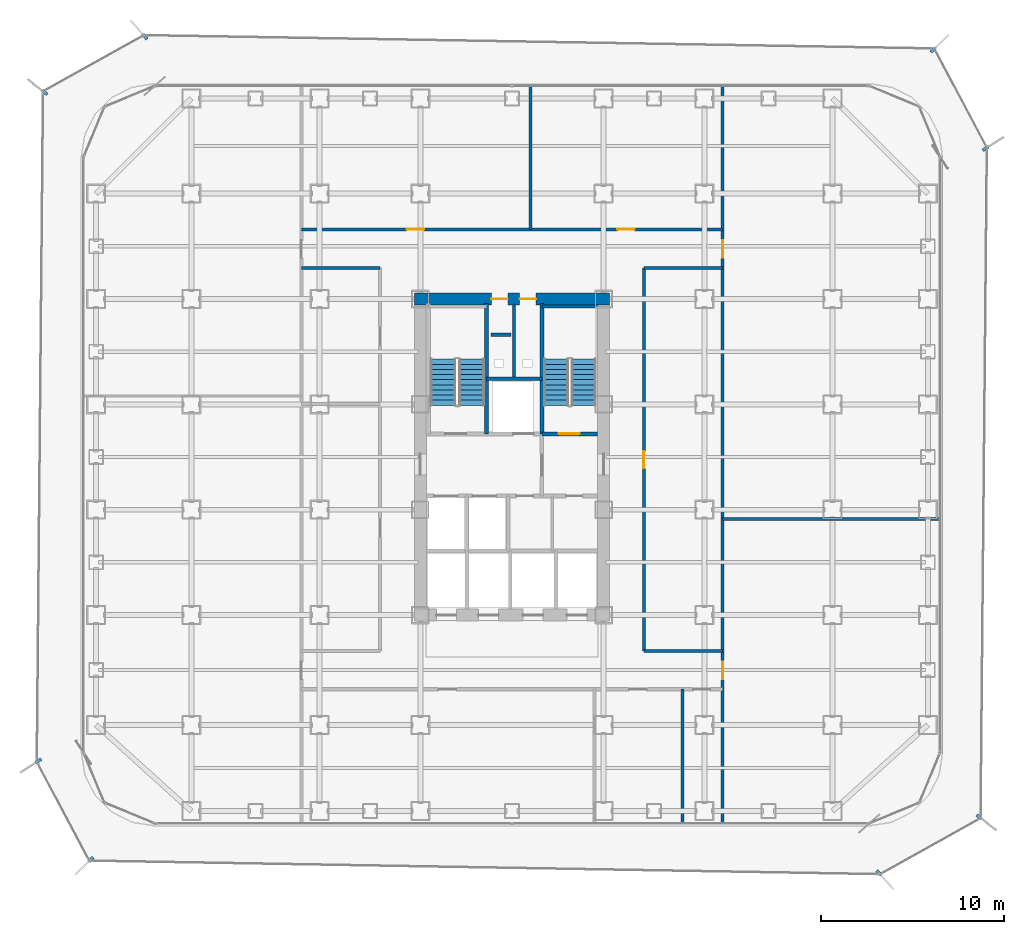
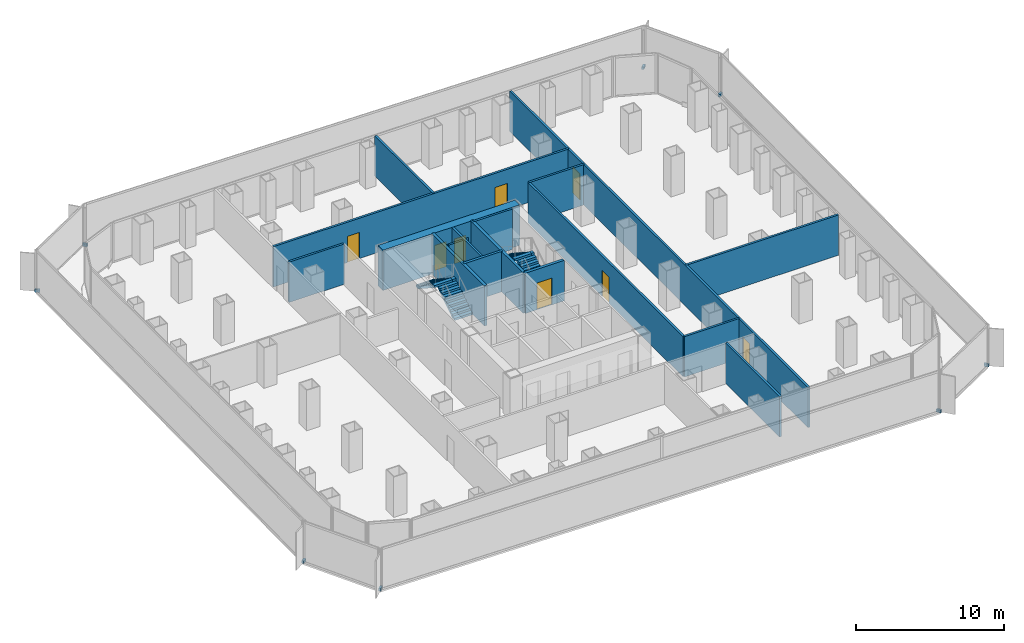
# One storey, part 18 of 21: 17 walls, 8 discrete accessories, 8 doors, 4 stair flights, 8 openings, 2 elements without a shape of their own.
"""IFC4 building model written with IfcOpenShell, lengths in metres."""

from ifc_helpers import new_model, si_unit, direction, frame, frame_2d, origin, origin_2d, place, context, subcontext, project, spatial, polyline, rectangle, outline, extrude, source, transform, mapped, material, layer, layer_set, type_object, element, fill, aggregate, save


model = new_model("IFC4")

# Units and contexts
model_context = context("Model", 3, precision=1e-05, world=origin(), true_north=direction((0.0, 1.0)))
body_context = subcontext(model_context, "Body", "Model", "MODEL_VIEW")
ifc_project = project(units=[si_unit("LENGTHUNIT", "METRE"), si_unit("AREAUNIT", "SQUARE_METRE"), si_unit("VOLUMEUNIT", "CUBIC_METRE"), si_unit("PLANEANGLEUNIT", "RADIAN"), si_unit("MASSUNIT", "GRAM", prefix="KILO")], contexts=[model_context])

# Site, building, storey
site_placement = place(None, origin())
site = spatial("IfcSite", under=ifc_project, at=site_placement, CompositionType="ELEMENT")
building_placement = place(site_placement, origin())
building = spatial("IfcBuilding", under=site, at=building_placement, Name="Kolveth Station Tower", CompositionType="ELEMENT")
storey_placement = place(building_placement, frame((0.0, 0.0, 58.5)))
storey = spatial("IfcBuildingStorey", under=building, at=storey_placement, Name="L15", CompositionType="ELEMENT", Elevation=58.5)

# Wall, openings, doors
ifc_material_1 = material(Name="Concrete C60/75", Category="concrete")
ifc_layer_1 = layer(ifc_material_1, 0.64990234375)
ifc_layer_set_1 = layer_set([ifc_layer_1], Name="Concrete C60/75")
wall_type_1 = type_object("IfcWallType", Name="Wall_CW-650", PredefinedType="SHEAR", material=ifc_layer_set_1)
wall_1_placement = place(storey_placement, frame((18.175048828125, 28.75, 0.0), z_axis=(0.0, 0.0, 1.0), x_axis=(1.0, 0.0, 0.0)))
wall_1 = element("IfcWall", 1, at=wall_1_placement, inside=storey, type_object=wall_type_1, Name="L15 Core RC Shear Wall N", PredefinedType="SHEAR", context=body_context, shape_type="SweptSolid", body=[
    extrude(rectangle(XDim=10.64990234375, YDim=0.64990234375, at=frame_2d((5.324951171875, 0.0))), origin(), (0.0, 0.0, 1.0), 3.320068359375),
])
opening_1_placement = place(wall_1_placement, frame((4.205078125, 0.0, 0.0)))
opening_1 = element("IfcOpeningElement", 2, at=opening_1_placement, cuts=wall_1, Name="Opening RD1", PredefinedType="OPENING", context=body_context, shape_type="SweptSolid", body=[
    extrude(rectangle(XDim=0.89990234375, YDim=2.050048828125, at=frame_2d((0.449951171875, 1.02490234375))), frame((0.0, 0.3349609375, 0.0), z_axis=(0.0, -1.0, 0.0), x_axis=(1.0, 0.0, 0.0)), (0.0, 0.0, 1.0), 0.669921875),
])
opening_2_placement = place(wall_1_placement, frame((5.7451171875, 0.0, 0.0)))
opening_2 = element("IfcOpeningElement", 3, at=opening_2_placement, cuts=wall_1, Name="Opening RD1", PredefinedType="OPENING", context=body_context, shape_type="SweptSolid", body=[
    extrude(rectangle(XDim=0.89990234375, YDim=2.050048828125, at=frame_2d((0.449951171875, 1.02490234375))), frame((0.0, 0.3349609375, 0.0), z_axis=(0.0, -1.0, 0.0), x_axis=(1.0, 0.0, 0.0)), (0.0, 0.0, 1.0), 0.669921875),
])
ifc_material_2 = material(Name="Fire-rated Steel S355 riser access leaf", Category="steel")
door_type_1 = type_object("IfcDoorType", Name="Door_RD1", OperationType="NOTDEFINED", PredefinedType="DOOR", material=ifc_material_2)
door_1_placement = place(opening_1_placement, origin())
door_1 = element("IfcDoor", 4, at=door_1_placement, inside=storey, type_object=door_type_1, Name="L15 Electrical Riser Access Door", OperationType="SINGLE_SWING_RIGHT", OverallHeight=2.050048828125, OverallWidth=0.89990234375, PredefinedType="DOOR", context=body_context, shape_type="SweptSolid", body=[
    extrude(rectangle(XDim=0.89990234375, YDim=2.050048828125, at=frame_2d((0.449951171875, 1.02490234375))), frame((0.0, 0.02490234375, 0.0), z_axis=(0.0, -1.0, 0.0), x_axis=(1.0, 0.0, 0.0)), (0.0, 0.0, 1.0), 0.050048828125),
])
fill(opening_1, door_1)
door_2_placement = place(opening_2_placement, origin())
door_2 = element("IfcDoor", 5, at=door_2_placement, inside=storey, type_object=door_type_1, Name="L15 Smoke Duct Access Door", OperationType="SINGLE_SWING_LEFT", OverallHeight=2.050048828125, OverallWidth=0.89990234375, PredefinedType="DOOR", context=body_context, shape_type="SweptSolid", body=[
    extrude(rectangle(XDim=0.89990234375, YDim=2.050048828125, at=frame_2d((0.449951171875, 1.02490234375))), frame((0.0, 0.02490234375, 0.0), z_axis=(0.0, -1.0, 0.0), x_axis=(1.0, 0.0, 0.0)), (0.0, 0.0, 1.0), 0.050048828125),
])
fill(opening_2, door_2)

# Walls
ifc_material_3 = material(Name="Acoustic double-stud gypsum partition")
ifc_layer_2 = layer(ifc_material_3, 0.1650390625)
ifc_layer_set_2 = layer_set([ifc_layer_2], Name="Acoustic double-stud gypsum partition")
wall_type_2 = type_object("IfcWallType", Name="Wall_IW-165", PredefinedType="PARTITIONING", material=ifc_layer_set_2)
wall_2_placement = place(storey_placement, frame((25.1298828125, 28.3349609375, 0.0), z_axis=(0.0, 0.0, 1.0), x_axis=(1.0, 0.0, 0.0)))
element("IfcWall", 6, at=wall_2_placement, inside=storey, type_object=wall_type_2, Name="L15 Stair Shaft Wall WL-L15-ST2-N", PredefinedType="PARTITIONING", context=body_context, shape_type="SweptSolid", body=[
    extrude(rectangle(XDim=3.03515625, YDim=0.1650390625, at=frame_2d((1.517578125, 0.0))), origin(), (0.0, 0.0, 1.0), 3.320068359375),
])
wall_3_placement = place(storey_placement, frame((23.6201171875, 24.39990234375, 0.0), z_axis=(0.0, 0.0, 1.0), x_axis=(0.0, 1.0, 0.0)))
element("IfcWall", 7, at=wall_3_placement, inside=storey, type_object=wall_type_2, Name="L15 Partition Wall WL-L15-RSR-M", PredefinedType="PARTITIONING", context=body_context, shape_type="SweptSolid", body=[
    extrude(rectangle(XDim=4.01513671875, YDim=0.1650390625, at=frame_2d((2.007568359375, 0.0))), origin(), (0.0, 0.0, 1.0), 3.320068359375),
])

# Wall, openings, doors
wall_4_placement = place(storey_placement, frame((12.0, 32.550048828125, 0.0), z_axis=(0.0, 0.0, 1.0), x_axis=(1.0, 0.0, 0.0)))
wall_4 = element("IfcWall", 8, at=wall_4_placement, inside=storey, type_object=wall_type_2, Name="L15 Partition Wall WL-L15-ON", PredefinedType="PARTITIONING", context=body_context, shape_type="SweptSolid", body=[
    extrude(rectangle(XDim=23.0, YDim=0.1650390625, at=frame_2d((11.5, 0.0))), origin(), (0.0, 0.0, 1.0), 3.320068359375),
])
opening_3_placement = place(wall_4_placement, frame((5.75, 0.0, 0.0)))
opening_3 = element("IfcOpeningElement", 9, at=opening_3_placement, cuts=wall_4, Name="Opening ID1", PredefinedType="OPENING", context=body_context, shape_type="SweptSolid", body=[
    extrude(rectangle(XDim=0.949951171875, YDim=2.14990234375, at=frame_2d((0.47509765625, 1.074951171875))), frame((0.0, 0.092529296875, 0.0), z_axis=(0.0, -1.0, 0.0), x_axis=(1.0, 0.0, 0.0)), (0.0, 0.0, 1.0), 0.18505859375),
])
opening_4_placement = place(wall_4_placement, frame((17.25, 0.0, 0.0)))
opening_4 = element("IfcOpeningElement", 10, at=opening_4_placement, cuts=wall_4, Name="Opening ID1", PredefinedType="OPENING", context=body_context, shape_type="SweptSolid", body=[
    extrude(rectangle(XDim=0.949951171875, YDim=2.14990234375, at=frame_2d((0.47509765625, 1.074951171875))), frame((0.0, 0.092529296875, 0.0), z_axis=(0.0, -1.0, 0.0), x_axis=(1.0, 0.0, 0.0)), (0.0, 0.0, 1.0), 0.18505859375),
])
ifc_material_4 = material(Name="Acoustic hardwood leaf and aluminium frame", Category="wood")
door_type_2 = type_object("IfcDoorType", Name="Door_ID1", OperationType="NOTDEFINED", PredefinedType="DOOR", material=ifc_material_4)
door_3_placement = place(opening_3_placement, origin())
door_3 = element("IfcDoor", 11, at=door_3_placement, inside=storey, type_object=door_type_2, Name="L15 Staff Lounge and Townhall Door", OperationType="SINGLE_SWING_LEFT", OverallHeight=2.14990234375, OverallWidth=0.949951171875, PredefinedType="DOOR", context=body_context, shape_type="SweptSolid", body=[
    extrude(rectangle(XDim=0.949951171875, YDim=2.14990234375, at=frame_2d((0.47509765625, 1.074951171875))), frame((0.0, 0.02490234375, 0.0), z_axis=(0.0, -1.0, 0.0), x_axis=(1.0, 0.0, 0.0)), (0.0, 0.0, 1.0), 0.050048828125),
])
fill(opening_3, door_3)
door_4_placement = place(opening_4_placement, origin())
door_4 = element("IfcDoor", 12, at=door_4_placement, inside=storey, type_object=door_type_2, Name="L15 Catering Pantry Door", OperationType="SINGLE_SWING_RIGHT", OverallHeight=2.14990234375, OverallWidth=0.949951171875, PredefinedType="DOOR", context=body_context, shape_type="SweptSolid", body=[
    extrude(rectangle(XDim=0.949951171875, YDim=2.14990234375, at=frame_2d((0.47509765625, 1.074951171875))), frame((0.0, 0.02490234375, 0.0), z_axis=(0.0, -1.0, 0.0), x_axis=(1.0, 0.0, 0.0)), (0.0, 0.0, 1.0), 0.050048828125),
])
fill(opening_4, door_4)

# Walls
for number, where, z_axis, x_axis, name in (
    (13, (30.699951171875, 9.550048828125, 0.0), (0.0, 0.0, 1.0), (1.0, 0.0, 0.0), "L15 Partition Wall WL-L15-OSET"),
    (14, (12.0, 30.449951171875, 0.0), (0.0, 0.0, 1.0), (1.0, 0.0, 0.0), "L15 Partition Wall WL-L15-ONWB"),
    (15, (30.699951171875, 30.449951171875, 0.0), (0.0, 0.0, 1.0), (1.0, 0.0, 0.0), "L15 Partition Wall WL-L15-ONEB"),
):
    element("IfcWall", number, at=place(storey_placement, frame(where, z_axis=z_axis, x_axis=x_axis)), inside=storey, type_object=wall_type_2, Name=name, PredefinedType="PARTITIONING", context=body_context, shape_type="SweptSolid", body=[
        extrude(rectangle(XDim=4.300048828125, YDim=0.1650390625, at=frame_2d((2.14990234375, 0.0))), origin(), (0.0, 0.0, 1.0), 3.320068359375),
    ])

# Wall, opening, door
wall_5_placement = place(storey_placement, frame((30.699951171875, 9.550048828125, 0.0), z_axis=(0.0, 0.0, 1.0), x_axis=(0.0, 1.0, 0.0)))
wall_5 = element("IfcWall", 16, at=wall_5_placement, inside=storey, type_object=wall_type_2, Name="L15 Partition Wall WL-L15-OCE", PredefinedType="PARTITIONING", context=body_context, shape_type="SweptSolid", body=[
    extrude(rectangle(XDim=20.89990234375, YDim=0.1650390625, at=frame_2d((10.449951171875, 0.0))), origin(), (0.0, 0.0, 1.0), 3.320068359375),
])
opening_5_placement = place(wall_5_placement, frame((9.949951171875, 0.0, 0.0)))
opening_5 = element("IfcOpeningElement", 17, at=opening_5_placement, cuts=wall_5, Name="Opening ID1", PredefinedType="OPENING", context=body_context, shape_type="SweptSolid", body=[
    extrude(rectangle(XDim=0.949951171875, YDim=2.14990234375, at=frame_2d((0.47509765625, 1.074951171875))), frame((0.0, 0.092529296875, 0.0), z_axis=(0.0, -1.0, 0.0), x_axis=(1.0, 0.0, 0.0)), (0.0, 0.0, 1.0), 0.18505859375),
])
door_5_placement = place(opening_5_placement, origin())
door_5 = element("IfcDoor", 18, at=door_5_placement, inside=storey, type_object=door_type_2, Name="L15 Internal Meeting Room E1 Door", OperationType="SINGLE_SWING_LEFT", OverallHeight=2.14990234375, OverallWidth=0.949951171875, PredefinedType="DOOR", context=body_context, shape_type="SweptSolid", body=[
    extrude(rectangle(XDim=0.949951171875, YDim=2.14990234375, at=frame_2d((0.47509765625, 1.074951171875))), frame((0.0, 0.02490234375, 0.0), z_axis=(0.0, -1.0, 0.0), x_axis=(1.0, 0.0, 0.0)), (0.0, 0.0, 1.0), 0.050048828125),
])
fill(opening_5, door_5)

# Wall, openings, doors
wall_6_placement = place(storey_placement, frame((35.0, 0.159912109375, 0.0), z_axis=(0.0, 0.0, 1.0), x_axis=(0.0, 1.0, 0.0)))
wall_6 = element("IfcWall", 19, at=wall_6_placement, inside=storey, type_object=wall_type_2, Name="L15 Partition Wall WL-L15-OEEND", PredefinedType="PARTITIONING", context=body_context, shape_type="SweptSolid", body=[
    extrude(rectangle(XDim=40.18017578125, YDim=0.1650390625, at=frame_2d((20.090087890625, 0.0))), origin(), (0.0, 0.0, 1.0), 3.320068359375),
])
opening_6_placement = place(wall_6_placement, frame((7.840087890625, 0.0, 0.0)))
opening_6 = element("IfcOpeningElement", 20, at=opening_6_placement, cuts=wall_6, Name="Opening ID1", PredefinedType="OPENING", context=body_context, shape_type="SweptSolid", body=[
    extrude(rectangle(XDim=0.949951171875, YDim=2.14990234375, at=frame_2d((0.47509765625, 1.074951171875))), frame((0.0, 0.092529296875, 0.0), z_axis=(0.0, -1.0, 0.0), x_axis=(1.0, 0.0, 0.0)), (0.0, 0.0, 1.0), 0.18505859375),
])
opening_7_placement = place(wall_6_placement, frame((30.840087890625, 0.0, 0.0)))
opening_7 = element("IfcOpeningElement", 21, at=opening_7_placement, cuts=wall_6, Name="Opening ID1", PredefinedType="OPENING", context=body_context, shape_type="SweptSolid", body=[
    extrude(rectangle(XDim=0.949951171875, YDim=2.14990234375, at=frame_2d((0.47509765625, 1.074951171875))), frame((0.0, 0.092529296875, 0.0), z_axis=(0.0, -1.0, 0.0), x_axis=(1.0, 0.0, 0.0)), (0.0, 0.0, 1.0), 0.18505859375),
])
door_6_placement = place(opening_6_placement, origin())
door_6 = element("IfcDoor", 22, at=door_6_placement, inside=storey, type_object=door_type_2, Name="L15 East-South Wing Door", OperationType="SINGLE_SWING_LEFT", OverallHeight=2.14990234375, OverallWidth=0.949951171875, PredefinedType="DOOR", context=body_context, shape_type="SweptSolid", body=[
    extrude(rectangle(XDim=0.949951171875, YDim=2.14990234375, at=frame_2d((0.47509765625, 1.074951171875))), frame((0.0, 0.02490234375, 0.0), z_axis=(0.0, -1.0, 0.0), x_axis=(1.0, 0.0, 0.0)), (0.0, 0.0, 1.0), 0.050048828125),
])
fill(opening_6, door_6)
door_7_placement = place(opening_7_placement, origin())
door_7 = element("IfcDoor", 23, at=door_7_placement, inside=storey, type_object=door_type_2, Name="L15 East-North Wing Door", OperationType="SINGLE_SWING_RIGHT", OverallHeight=2.14990234375, OverallWidth=0.949951171875, PredefinedType="DOOR", context=body_context, shape_type="SweptSolid", body=[
    extrude(rectangle(XDim=0.949951171875, YDim=2.14990234375, at=frame_2d((0.47509765625, 1.074951171875))), frame((0.0, 0.02490234375, 0.0), z_axis=(0.0, -1.0, 0.0), x_axis=(1.0, 0.0, 0.0)), (0.0, 0.0, 1.0), 0.050048828125),
])
fill(opening_7, door_7)

# Walls
wall_7_placement = place(storey_placement, frame((32.800048828125, 0.159912109375, 0.0), z_axis=(0.0, 0.0, 1.0), x_axis=(0.0, 1.0, 0.0)))
element("IfcWall", 24, at=wall_7_placement, inside=storey, type_object=wall_type_2, Name="L15 Partition Wall WL-L15-OS-P2", PredefinedType="PARTITIONING", context=body_context, shape_type="SweptSolid", body=[
    extrude(rectangle(XDim=7.2900390625, YDim=0.1650390625, at=frame_2d((3.64501953125, 0.0))), origin(), (0.0, 0.0, 1.0), 3.320068359375),
])
wall_8_placement = place(storey_placement, frame((24.5, 32.550048828125, 0.0), z_axis=(0.0, 0.0, 1.0), x_axis=(0.0, 1.0, 0.0)))
element("IfcWall", 25, at=wall_8_placement, inside=storey, type_object=wall_type_2, Name="L15 Partition Wall WL-L15-ON-P1", PredefinedType="PARTITIONING", context=body_context, shape_type="SweptSolid", body=[
    extrude(rectangle(XDim=7.7900390625, YDim=0.1650390625, at=frame_2d((3.89501953125, 0.0))), origin(), (0.0, 0.0, 1.0), 3.320068359375),
])
wall_9_placement = place(storey_placement, frame((35.0, 16.75, 0.0), z_axis=(0.0, 0.0, 1.0), x_axis=(1.0, 0.0, 0.0)))
element("IfcWall", 26, at=wall_9_placement, inside=storey, type_object=wall_type_2, Name="L15 Partition Wall WL-L15-OEM", PredefinedType="PARTITIONING", context=body_context, shape_type="SweptSolid", body=[
    extrude(rectangle(XDim=11.840087890625, YDim=0.1650390625, at=frame_2d((5.919921875, 0.0))), origin(), (0.0, 0.0, 1.0), 3.320068359375),
])
wall_10_placement = place(storey_placement, frame((22.35009765625, 26.800048828125, 0.0), z_axis=(0.0, 0.0, 1.0), x_axis=(1.0, 0.0, 0.0)))
element("IfcWall", 27, at=wall_10_placement, inside=storey, type_object=wall_type_2, Name="L15 Acoustic Riser Dry-Lining Wall", PredefinedType="PARTITIONING", context=body_context, shape_type="SweptSolid", body=[
    extrude(rectangle(XDim=1.099853515625, YDim=0.1650390625, at=frame_2d((0.5498046875, 0.0))), origin(), (0.0, 0.0, 1.0), 3.320068359375),
])
ifc_material_5 = material(Name="Acoustic fire-rated gypsum blockwork", Category="masonry")
ifc_layer_3 = layer(ifc_material_5, 0.199951171875)
ifc_layer_set_3 = layer_set([ifc_layer_3], Name="Acoustic fire-rated gypsum blockwork")
wall_type_3 = type_object("IfcWallType", Name="Wall_IW-200", PredefinedType="PARTITIONING", material=ifc_layer_set_3)
wall_11_placement = place(storey_placement, frame((22.110107421875, 24.39990234375, 0.0), z_axis=(0.0, 0.0, 1.0), x_axis=(1.0, 0.0, 0.0)))
element("IfcWall", 28, at=wall_11_placement, inside=storey, type_object=wall_type_3, Name="L15 Partition Wall WL-L15-RSR-S", PredefinedType="PARTITIONING", context=body_context, shape_type="SweptSolid", body=[
    extrude(rectangle(XDim=3.019775390625, YDim=0.199951171875, at=frame_2d((1.509765625, 0.0))), origin(), (0.0, 0.0, 1.0), 3.320068359375),
])
ifc_material_6 = material(Name="Concrete C40/50", Category="concrete")
ifc_layer_4 = layer(ifc_material_6, 0.219970703125)
ifc_layer_set_4 = layer_set([ifc_layer_4], Name="Concrete C40/50")
wall_type_4 = type_object("IfcWallType", Name="Wall_IW-220", PredefinedType="SOLIDWALL", material=ifc_layer_set_4)
for number, where, z_axis, x_axis, name in (
    (29, (22.110107421875, 21.389892578125, 0.0), (0.0, 0.0, 1.0), (0.0, 1.0, 0.0), "L15 Stair Shaft Wall WL-L15-ST1-E"),
    (30, (25.1298828125, 21.389892578125, 0.0), (0.0, 0.0, 1.0), (0.0, 1.0, 0.0), "L15 Stair Shaft Wall WL-L15-ST2-W"),
):
    element("IfcWall", number, at=place(storey_placement, frame(where, z_axis=z_axis, x_axis=x_axis)), inside=storey, type_object=wall_type_4, Name=name, PredefinedType="SOLIDWALL", context=body_context, shape_type="SweptSolid", body=[
        extrude(rectangle(XDim=7.110107421875, YDim=0.219970703125, at=frame_2d((3.55517578125, 0.0))), origin(), (0.0, 0.0, 1.0), 3.320068359375),
    ])

# Wall, opening, door
wall_12_placement = place(storey_placement, frame((25.1298828125, 21.389892578125, 0.0), z_axis=(0.0, 0.0, 1.0), x_axis=(1.0, 0.0, 0.0)))
wall_12 = element("IfcWall", 31, at=wall_12_placement, inside=storey, type_object=wall_type_4, Name="L15 Stair Shaft Wall WL-L15-ST2-S", PredefinedType="SOLIDWALL", context=body_context, shape_type="SweptSolid", body=[
    extrude(rectangle(XDim=3.03515625, YDim=0.219970703125, at=frame_2d((1.517578125, 0.0))), origin(), (0.0, 0.0, 1.0), 3.320068359375),
])
opening_8_placement = place(wall_12_placement, frame((0.919921875, 0.0, 0.0)))
opening_8 = element("IfcOpeningElement", 32, at=opening_8_placement, cuts=wall_12, Name="Opening FD1", PredefinedType="OPENING", context=body_context, shape_type="SweptSolid", body=[
    extrude(rectangle(XDim=1.14990234375, YDim=2.199951171875, at=frame_2d((0.574951171875, 1.10009765625))), frame((0.0, 0.119873046875, 0.0), z_axis=(0.0, -1.0, 0.0), x_axis=(1.0, 0.0, 0.0)), (0.0, 0.0, 1.0), 0.239990234375),
])
ifc_material_7 = material(Name="Fire-rated Steel S355 leaf and frame", Category="steel")
door_type_3 = type_object("IfcDoorType", Name="Door_FD1", OperationType="NOTDEFINED", PredefinedType="DOOR", material=ifc_material_7)
door_8_placement = place(opening_8_placement, frame((1.14990234375, 0.0, 0.0), z_axis=(0.0, 0.0, 1.0), x_axis=(-1.0, 0.0, 0.0)))
door_8 = element("IfcDoor", 33, at=door_8_placement, inside=storey, type_object=door_type_3, Name="L15 Stair ST2 Fire Door", OperationType="SINGLE_SWING_LEFT", OverallHeight=2.199951171875, OverallWidth=1.14990234375, PredefinedType="DOOR", context=body_context, shape_type="SweptSolid", body=[
    extrude(rectangle(XDim=1.14990234375, YDim=2.199951171875, at=frame_2d((0.574951171875, 1.10009765625))), frame((0.0, 0.02490234375, 0.0), z_axis=(0.0, -1.0, 0.0), x_axis=(1.0, 0.0, 0.0)), (0.0, 0.0, 1.0), 0.050048828125),
])
fill(opening_8, door_8)

# Stair, stair flights
stair_type_1 = type_object("IfcStairType", Name="Stair_ST1", PredefinedType="HALF_TURN_STAIR", material=ifc_material_6)
stair_1_placement = place(storey_placement, origin())
stair_1 = element("IfcStair", 34, at=stair_1_placement, inside=storey, type_object=stair_type_1, Name="L15 Tower Exit Stair ST1", PredefinedType="HALF_TURN_STAIR")
ifc_layer_5 = layer(ifc_material_6, 0.179931640625)
ifc_layer_set_5 = layer_set([ifc_layer_5], Name="Concrete C40/50")
stair_flight_type_1 = type_object("IfcStairFlightType", Name="Flight_ST1", PredefinedType="STRAIGHT", material=ifc_layer_set_5)
stair_flight_1_placement = place(storey_placement, frame((21.300048828125, 22.949951171875, 0.0), z_axis=(0.0, 0.0, 1.0), x_axis=(0.0, 1.0, 0.0)))
stair_flight_1 = element("IfcStairFlight", 35, at=stair_flight_1_placement, type_object=stair_flight_type_1, Name="ST1 flight 1", NumberOfRisers=10, NumberOfTreads=9, PredefinedType="STRAIGHT", RiserHeight=0.18, TreadLength=0.28, context=body_context, shape_type="SweptSolid", body=[
    extrude(outline(polyline([(0.0, 0.0), (0.0, 0.179931640625), (0.280029296875, 0.179931640625), (0.280029296875, 0.360107421875), (0.56005859375, 0.360107421875), (0.56005859375, 0.5400390625), (0.840087890625, 0.5400390625), (0.840087890625, 0.719970703125), (1.1201171875, 0.719970703125), (1.1201171875, 0.89990234375), (1.39990234375, 0.89990234375), (1.39990234375, 1.080078125), (1.679931640625, 1.080078125), (1.679931640625, 1.260009765625), (1.9599609375, 1.260009765625), (1.9599609375, 1.43994140625), (2.239990234375, 1.43994140625), (2.239990234375, 1.6201171875), (2.52001953125, 1.6201171875), (2.52001953125, 1.800048828125), (2.52001953125, 1.44189453125), (0.277099609375, 0.0), (0.0, 0.0)])), frame((0.0, 0.699951171875, 0.0), z_axis=(0.0, -1.0, 0.0), x_axis=(1.0, 0.0, 0.0)), (0.0, 0.0, 1.0), 1.39990234375),
])
stair_flight_2_placement = place(storey_placement, frame((19.739990234375, 25.469970703125, 1.800048828125), z_axis=(0.0, 0.0, 1.0), x_axis=(0.0, -1.0, 0.0)))
stair_flight_2 = element("IfcStairFlight", 36, at=stair_flight_2_placement, type_object=stair_flight_type_1, Name="ST1 flight 2", NumberOfRisers=10, NumberOfTreads=9, PredefinedType="STRAIGHT", RiserHeight=0.18, TreadLength=0.28, context=body_context, shape_type="SweptSolid", body=[
    extrude(outline(polyline([(0.0, 0.0), (0.0, 0.179931640625), (0.280029296875, 0.179931640625), (0.280029296875, 0.360107421875), (0.56005859375, 0.360107421875), (0.56005859375, 0.5400390625), (0.840087890625, 0.5400390625), (0.840087890625, 0.719970703125), (1.1201171875, 0.719970703125), (1.1201171875, 0.89990234375), (1.39990234375, 0.89990234375), (1.39990234375, 1.080078125), (1.679931640625, 1.080078125), (1.679931640625, 1.260009765625), (1.9599609375, 1.260009765625), (1.9599609375, 1.43994140625), (2.239990234375, 1.43994140625), (2.239990234375, 1.6201171875), (2.52001953125, 1.6201171875), (2.52001953125, 1.800048828125), (2.52001953125, 1.44189453125), (0.277099609375, 0.0), (0.0, 0.0)])), frame((0.0, 0.699951171875, 0.0), z_axis=(0.0, -1.0, 0.0), x_axis=(1.0, 0.0, 0.0)), (0.0, 0.0, 1.0), 1.39990234375),
])
aggregate(stair_1, [stair_flight_1, stair_flight_2])

stair_type_2 = type_object("IfcStairType", Name="Stair_ST2", PredefinedType="HALF_TURN_STAIR", material=ifc_material_6)
stair_2_placement = place(storey_placement, origin())
stair_2 = element("IfcStair", 37, at=stair_2_placement, inside=storey, type_object=stair_type_2, Name="L15 Tower Exit Stair ST2", PredefinedType="HALF_TURN_STAIR")
ifc_layer_6 = layer(ifc_material_6, 0.179931640625)
ifc_layer_set_6 = layer_set([ifc_layer_6], Name="Concrete C40/50")
stair_flight_type_2 = type_object("IfcStairFlightType", Name="Flight_ST2", PredefinedType="STRAIGHT", material=ifc_layer_set_6)
stair_flight_3_placement = place(storey_placement, frame((27.425048828125, 22.949951171875, 0.0), z_axis=(0.0, 0.0, 1.0), x_axis=(0.0, 1.0, 0.0)))
stair_flight_3 = element("IfcStairFlight", 38, at=stair_flight_3_placement, type_object=stair_flight_type_2, Name="ST2 flight 1", NumberOfRisers=10, NumberOfTreads=9, PredefinedType="STRAIGHT", RiserHeight=0.18, TreadLength=0.28, context=body_context, shape_type="SweptSolid", body=[
    extrude(outline(polyline([(0.0, 0.0), (0.0, 0.179931640625), (0.280029296875, 0.179931640625), (0.280029296875, 0.360107421875), (0.56005859375, 0.360107421875), (0.56005859375, 0.5400390625), (0.840087890625, 0.5400390625), (0.840087890625, 0.719970703125), (1.1201171875, 0.719970703125), (1.1201171875, 0.89990234375), (1.39990234375, 0.89990234375), (1.39990234375, 1.080078125), (1.679931640625, 1.080078125), (1.679931640625, 1.260009765625), (1.9599609375, 1.260009765625), (1.9599609375, 1.43994140625), (2.239990234375, 1.43994140625), (2.239990234375, 1.6201171875), (2.52001953125, 1.6201171875), (2.52001953125, 1.800048828125), (2.52001953125, 1.44189453125), (0.277099609375, 0.0), (0.0, 0.0)])), frame((0.0, 0.675048828125, 0.0), z_axis=(0.0, -1.0, 0.0), x_axis=(1.0, 0.0, 0.0)), (0.0, 0.0, 1.0), 1.35009765625),
])
stair_flight_4_placement = place(storey_placement, frame((25.9150390625, 25.469970703125, 1.800048828125), z_axis=(0.0, 0.0, 1.0), x_axis=(0.0, -1.0, 0.0)))
stair_flight_4 = element("IfcStairFlight", 39, at=stair_flight_4_placement, type_object=stair_flight_type_2, Name="ST2 flight 2", NumberOfRisers=10, NumberOfTreads=9, PredefinedType="STRAIGHT", RiserHeight=0.18, TreadLength=0.28, context=body_context, shape_type="SweptSolid", body=[
    extrude(outline(polyline([(0.0, 0.0), (0.0, 0.179931640625), (0.280029296875, 0.179931640625), (0.280029296875, 0.360107421875), (0.56005859375, 0.360107421875), (0.56005859375, 0.5400390625), (0.840087890625, 0.5400390625), (0.840087890625, 0.719970703125), (1.1201171875, 0.719970703125), (1.1201171875, 0.89990234375), (1.39990234375, 0.89990234375), (1.39990234375, 1.080078125), (1.679931640625, 1.080078125), (1.679931640625, 1.260009765625), (1.9599609375, 1.260009765625), (1.9599609375, 1.43994140625), (2.239990234375, 1.43994140625), (2.239990234375, 1.6201171875), (2.52001953125, 1.6201171875), (2.52001953125, 1.800048828125), (2.52001953125, 1.44189453125), (0.277099609375, 0.0), (0.0, 0.0)])), frame((0.0, 0.675048828125, 0.0), z_axis=(0.0, -1.0, 0.0), x_axis=(1.0, 0.0, 0.0)), (0.0, 0.0, 1.0), 1.35009765625),
])
aggregate(stair_2, [stair_flight_3, stair_flight_4])

# Discrete accessories
ifc_material_8 = material(Name="Steel S355", Category="steel")
discrete_accessory_type = type_object("IfcDiscreteAccessoryType", Name="Bracket_BK1", PredefinedType="BRACKET", material=ifc_material_8)
shared_shape = source(origin(), body_context, "Body", "SweptSolid", [
    extrude(rectangle(XDim=0.35009765625, YDim=0.159912109375, at=origin_2d()), origin(), (0.0, 0.0, 1.0), 0.219970703125),
])
for number, where, z_axis, x_axis, name in (
    (40, (43.534912109375, -2.575927734375, -0.06005859375), (0.0, 0.0, 1.0), (0.659608216527, -0.751609606571, 0.0), "L15 Double-Skin Radial Tie Bracket 1"),
    (41, (49.010009765625, 0.47607421875, -0.06005859375), (0.0, 0.0, 1.0), (0.790368909154, -0.612631200187, 0.0), "L15 Double-Skin Radial Tie Bracket 2"),
    (42, (49.346923828125, 36.9599609375, -0.06005859375), (0.0, 0.0, 1.0), (0.839809417029, 0.542881334243, 0.0), "L15 Double-Skin Radial Tie Bracket 3"),
    (43, (46.489990234375, 42.35107421875, -0.06005859375), (0.0, 0.0, 1.0), (0.72091407724, 0.693024453563, 0.0), "L15 Double-Skin Radial Tie Bracket 4"),
    (44, (3.465087890625, 43.069091796875, -0.06005859375), (0.0, 0.0, 1.0), (-0.659739387103, 0.751494471773, 0.0), "L15 Double-Skin Radial Tie Bracket 5"),
    (45, (-2.010009765625, 40.02392578125, -0.06005859375), (0.0, 0.0, 1.0), (-0.790368909154, 0.612631200187, 0.0), "L15 Double-Skin Radial Tie Bracket 6"),
    (46, (-2.343017578125, 3.5400390625, -0.06005859375), (0.0, 0.0, 1.0), (-0.839714653571, -0.543027900367, 0.0), "L15 Double-Skin Radial Tie Bracket 7"),
    (47, (0.512939453125, -1.844970703125, -0.06005859375), (0.0, 0.0, 1.0), (-0.72091407724, -0.693024453563, 0.0), "L15 Double-Skin Radial Tie Bracket 8"),
):
    element("IfcDiscreteAccessory", number, at=place(storey_placement, frame(where, z_axis=z_axis, x_axis=x_axis)), inside=storey, type_object=discrete_accessory_type, Name=name, PredefinedType="BRACKET", context=body_context, shape_type="MappedRepresentation", body=[
        mapped(shared_shape, transform((0.0, 0.0, 0.0), x_axis=(1.0, 0.0, 0.0), y_axis=(0.0, 1.0, 0.0), z_axis=(0.0, 0.0, 1.0), scale=1.0)),
    ])

save(model, "model.ifc")
